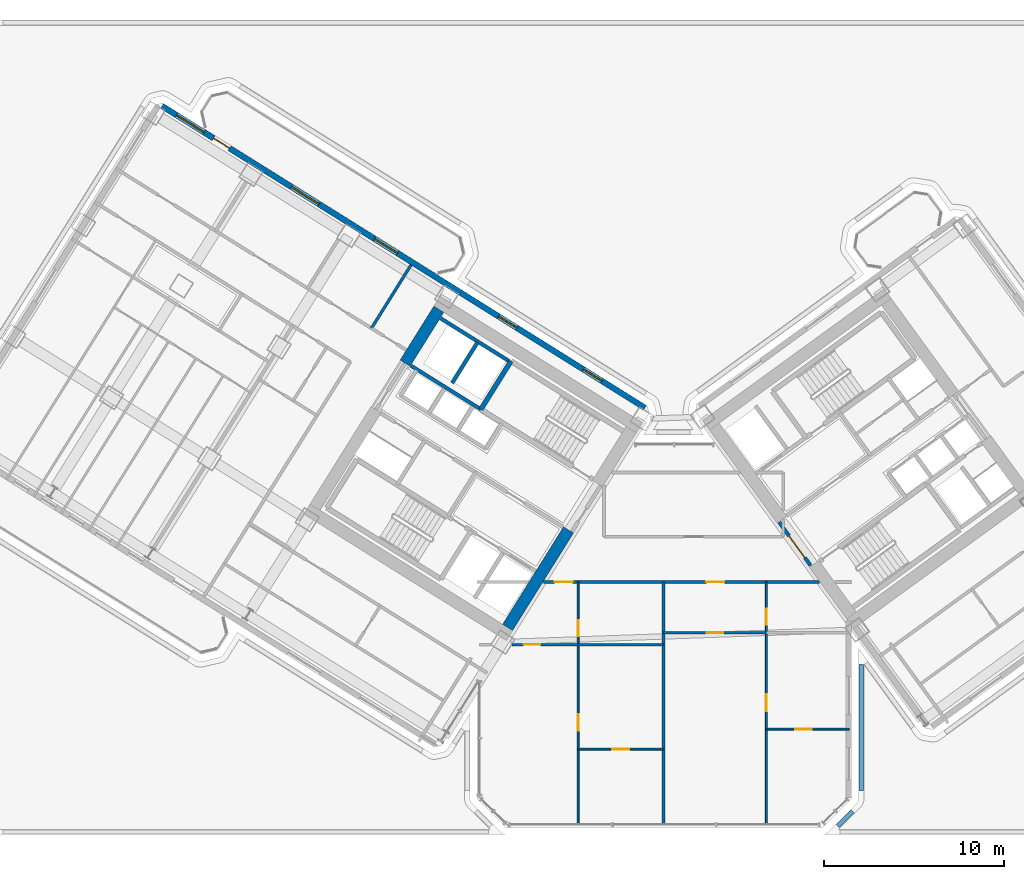
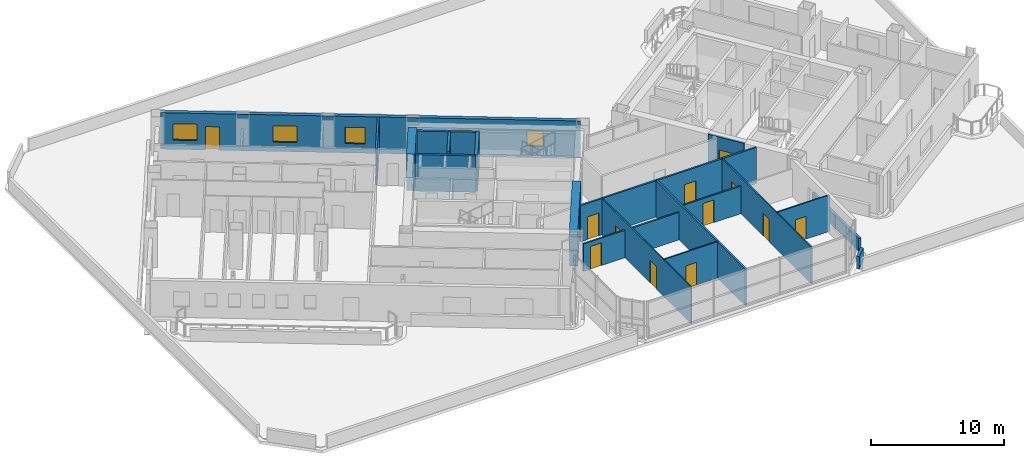
# One storey, part 17 of 28: 20 walls, 12 doors, 5 windows, 17 openings.
"""IFC4 building model written with IfcOpenShell, lengths in metres."""

from ifc_helpers import new_model, si_unit, direction, frame, frame_2d, origin, place, context, subcontext, project, spatial, rectangle, extrude, source, transform, mapped, material, layer, layer_set, type_object, element, fill, save


model = new_model("IFC4")

# Units and contexts
model_context = context("Model", 3, precision=1e-05, world=origin(), true_north=direction((0.0, 1.0)))
body_context = subcontext(model_context, "Body", "Model", "MODEL_VIEW")
ifc_project = project(units=[si_unit("LENGTHUNIT", "METRE"), si_unit("AREAUNIT", "SQUARE_METRE"), si_unit("VOLUMEUNIT", "CUBIC_METRE"), si_unit("PLANEANGLEUNIT", "RADIAN"), si_unit("MASSUNIT", "GRAM", prefix="KILO")], contexts=[model_context])

# Site, building, storey
site_placement = place(None, origin())
site = spatial("IfcSite", under=ifc_project, at=site_placement, CompositionType="ELEMENT")
building_placement = place(site_placement, origin())
building = spatial("IfcBuilding", under=site, at=building_placement, Name="Tlacorven Tower", CompositionType="ELEMENT")
storey_placement = place(building_placement, frame((0.0, 0.0, 24.0)))
storey = spatial("IfcBuildingStorey", under=building, at=storey_placement, Name="L05", CompositionType="ELEMENT", Elevation=24.0)

# Walls
ifc_material_1 = material(Name="Concrete C60/75", Category="concrete")
ifc_layer_1 = layer(ifc_material_1, 0.64990234375)
ifc_layer_set_1 = layer_set([ifc_layer_1], Name="Concrete C60/75")
wall_type_1 = type_object("IfcWallType", Name="WL-COR-650", PredefinedType="SHEAR", material=ifc_layer_set_1)
wall_1_placement = place(storey_placement, frame((36.683349609375, 18.30419921875, 0.0), z_axis=(0.0, 0.0, 1.0), x_axis=(-0.529899109053, -0.848060690178, 0.0)))
element("IfcWall", 1, at=wall_1_placement, inside=storey, type_object=wall_type_1, Name="L05 W core end wall E1.2", PredefinedType="SHEAR", context=body_context, shape_type="SweptSolid", body=[
    extrude(rectangle(XDim=6.375244140625, YDim=0.64990234375, at=frame_2d((3.1875, 0.0))), origin(), (0.0, 0.0, 1.0), 3.35009765625),
])
wall_2_placement = place(storey_placement, frame((29.49072265625, 30.5517578125, 0.0), z_axis=(0.0, 0.0, 1.0), x_axis=(-0.529893103397, -0.8480644427, 0.0)))
element("IfcWall", 2, at=wall_2_placement, inside=storey, type_object=wall_type_1, Name="L05 W core end wall E2.1", PredefinedType="SHEAR", context=body_context, shape_type="SweptSolid", body=[
    extrude(rectangle(XDim=3.525146484375, YDim=0.64990234375, at=frame_2d((1.7626953125, 0.0))), origin(), (0.0, 0.0, 1.0), 3.35009765625),
])
ifc_material_2 = material(Name="Gypsum plasterboard acoustic partition", Category="gypsum")
ifc_layer_2 = layer(ifc_material_2, 0.159912109375)
ifc_layer_set_2 = layer_set([ifc_layer_2], Name="Gypsum plasterboard acoustic partition")
wall_type_2 = type_object("IfcWallType", Name="WL-DEM-160", PredefinedType="PARTITIONING", material=ifc_layer_set_2)
wall_3_placement = place(storey_placement, frame((27.952880859375, 33.01611328125, 0.0), z_axis=(0.0, 0.0, 1.0), x_axis=(-0.529872022255, -0.848077614391, 0.0)))
element("IfcWall", 3, at=wall_3_placement, inside=storey, type_object=wall_type_2, Name="L05 partition 49", PredefinedType="PARTITIONING", context=body_context, shape_type="SweptSolid", body=[
    extrude(rectangle(XDim=4.14990234375, YDim=0.159912109375, at=frame_2d((2.074951171875, 0.0))), origin(), (0.0, 0.0, 1.0), 3.340087890625),
])

# Wall, openings, doors
wall_4_placement = place(storey_placement, frame((35.29638671875, 15.419921875, 0.0), z_axis=(0.0, 0.0, 1.0), x_axis=(1.0, 0.0, 0.0)))
wall_4 = element("IfcWall", 4, at=wall_4_placement, inside=storey, type_object=wall_type_2, Name="L05 Knuckle Corridor South Wall", PredefinedType="PARTITIONING", context=body_context, shape_type="SweptSolid", body=[
    extrude(rectangle(XDim=15.310546875, YDim=0.159912109375, at=frame_2d((7.6552734375, 0.0))), origin(), (0.0, 0.0, 1.0), 3.340087890625),
])
opening_1_placement = place(wall_4_placement, frame((0.61474609375, 0.0, 0.0)))
opening_1 = element("IfcOpeningElement", 5, at=opening_1_placement, cuts=wall_4, Name="Opening D11", PredefinedType="OPENING", context=body_context, shape_type="SweptSolid", body=[
    extrude(rectangle(XDim=1.0, YDim=2.10009765625, at=frame_2d((0.5, 1.050048828125))), frame((0.0, 0.08984375, 0.0), z_axis=(0.0, -1.0, 0.0), x_axis=(1.0, 0.0, 0.0)), (0.0, 0.0, 1.0), 0.179931640625),
])
opening_2_placement = place(wall_4_placement, frame((9.03515625, 0.0, 0.0)))
opening_2 = element("IfcOpeningElement", 6, at=opening_2_placement, cuts=wall_4, Name="Opening D11", PredefinedType="OPENING", context=body_context, shape_type="SweptSolid", body=[
    extrude(rectangle(XDim=1.0, YDim=2.10009765625, at=frame_2d((0.5, 1.050048828125))), frame((0.0, 0.08984375, 0.0), z_axis=(0.0, -1.0, 0.0), x_axis=(1.0, 0.0, 0.0)), (0.0, 0.0, 1.0), 0.179931640625),
])
ifc_material_3 = material(Name="Fire-rated steel door assembly", Category="steel")
door_type_1 = type_object("IfcDoorType", Name="DR-FLT-FD60-1000", OperationType="NOTDEFINED", PredefinedType="DOOR", material=ifc_material_3)
shared_shape_1 = source(origin(), body_context, "Body", "SweptSolid", [
    extrude(rectangle(XDim=1.0, YDim=2.10009765625, at=frame_2d((0.5, 1.050048828125))), frame((0.0, 0.02490234375, 0.0), z_axis=(0.0, -1.0, 0.0), x_axis=(1.0, 0.0, 0.0)), (0.0, 0.0, 1.0), 0.050048828125),
])
door_1_placement = place(opening_1_placement, frame((1.0, 0.0, 0.0), z_axis=(0.0, 0.0, 1.0), x_axis=(-1.0, 0.0, 0.0)))
door_1 = element("IfcDoor", 7, at=door_1_placement, inside=storey, type_object=door_type_1, Name="L05 door 046", OperationType="SINGLE_SWING_LEFT", OverallHeight=2.10009765625, OverallWidth=1.0, PredefinedType="DOOR", context=body_context, shape_type="MappedRepresentation", body=[
    mapped(shared_shape_1, transform((0.0, 0.0, 0.0), scale=1.0)),
])
fill(opening_1, door_1)
door_2_placement = place(opening_2_placement, frame((1.0, 0.0, 0.0), z_axis=(0.0, 0.0, 1.0), x_axis=(-1.0, 0.0, 0.0)))
door_2 = element("IfcDoor", 8, at=door_2_placement, inside=storey, type_object=door_type_1, Name="L05 door 051", OperationType="SINGLE_SWING_RIGHT", OverallHeight=2.10009765625, OverallWidth=1.0, PredefinedType="DOOR", context=body_context, shape_type="MappedRepresentation", body=[
    mapped(shared_shape_1, transform((0.0, 0.0, 0.0), scale=1.0)),
])
fill(opening_2, door_2)

# Wall
wall_5_placement = place(storey_placement, frame((41.949951171875, 1.9599609375, 0.0), z_axis=(0.0, 0.0, 1.0), x_axis=(0.0, 1.0, 0.0)))
element("IfcWall", 9, at=wall_5_placement, inside=storey, type_object=wall_type_2, Name="L05 Knuckle Demising Wall 1", PredefinedType="PARTITIONING", context=body_context, shape_type="SweptSolid", body=[
    extrude(rectangle(XDim=13.4599609375, YDim=0.159912109375, at=frame_2d((6.72998046875, 0.0))), origin(), (0.0, 0.0, 1.0), 3.340087890625),
])

# Wall, openings, door, windows
ifc_material_4 = material(Name="Precast concrete C45/55", Category="concrete")
ifc_layer_3 = layer(ifc_material_4, 0.320068359375)
ifc_layer_set_3 = layer_set([ifc_layer_3], Name="Precast concrete C45/55")
wall_type_3 = type_object("IfcWallType", Name="WL-EXT-320", PredefinedType="STANDARD", material=ifc_layer_set_3)
wall_6_placement = place(storey_placement, frame((14.13818359375, 41.825439453125, 0.0), z_axis=(0.0, 0.0, 1.0), x_axis=(0.848046498049, -0.529921821731, 0.0)))
wall_6 = element("IfcWall", 10, at=wall_6_placement, inside=storey, type_object=wall_type_3, Name="L05 Masonry-Frame Recessed Facade Wall 3", PredefinedType="STANDARD", context=body_context, shape_type="SweptSolid", body=[
    extrude(rectangle(XDim=31.587646484375, YDim=0.320068359375, at=frame_2d((15.7939453125, 0.0))), origin(), (0.0, 0.0, 1.0), 3.35009765625),
])
opening_3_placement = place(wall_6_placement, frame((3.368896484375, 0.0, 0.0)))
opening_3 = element("IfcOpeningElement", 11, at=opening_3_placement, cuts=wall_6, Name="Opening D06", PredefinedType="OPENING", context=body_context, shape_type="SweptSolid", body=[
    extrude(rectangle(XDim=1.050048828125, YDim=2.14990234375, at=frame_2d((0.52490234375, 1.074951171875))), frame((0.0, 0.169921875, 0.0), z_axis=(0.0, -1.0, 0.0), x_axis=(1.0, 0.0, 0.0)), (0.0, 0.0, 1.0), 0.340087890625),
])
opening_4_placement = place(wall_6_placement, frame((0.9462890625, 0.0, 0.85009765625)))
opening_4 = element("IfcOpeningElement", 12, at=opening_4_placement, cuts=wall_6, Name="Opening WN01", PredefinedType="OPENING", context=body_context, shape_type="SweptSolid", body=[
    extrude(rectangle(XDim=1.800048828125, YDim=1.5, at=frame_2d((0.89990234375, 0.75))), frame((0.0, 0.169921875, 0.0), z_axis=(0.0, -1.0, 0.0), x_axis=(1.0, 0.0, 0.0)), (0.0, 0.0, 1.0), 0.340087890625),
])
opening_5_placement = place(wall_6_placement, frame((8.460205078125, 0.0, 0.85009765625)))
opening_5 = element("IfcOpeningElement", 13, at=opening_5_placement, cuts=wall_6, Name="Opening WN01", PredefinedType="OPENING", context=body_context, shape_type="SweptSolid", body=[
    extrude(rectangle(XDim=1.800048828125, YDim=1.5, at=frame_2d((0.89990234375, 0.75))), frame((0.0, 0.169921875, 0.0), z_axis=(0.0, -1.0, 0.0), x_axis=(1.0, 0.0, 0.0)), (0.0, 0.0, 1.0), 0.340087890625),
])
opening_6_placement = place(wall_6_placement, frame((13.898681640625, 0.0, 0.85009765625)))
opening_6 = element("IfcOpeningElement", 14, at=opening_6_placement, cuts=wall_6, Name="Opening WN02", PredefinedType="OPENING", context=body_context, shape_type="SweptSolid", body=[
    extrude(rectangle(XDim=1.5, YDim=1.5, at=frame_2d((0.75, 0.75))), frame((0.0, 0.169921875, 0.0), z_axis=(0.0, -1.0, 0.0), x_axis=(1.0, 0.0, 0.0)), (0.0, 0.0, 1.0), 0.340087890625),
])
opening_7_placement = place(wall_6_placement, frame((22.018798828125, 0.0, 0.949951171875)))
opening_7 = element("IfcOpeningElement", 15, at=opening_7_placement, cuts=wall_6, Name="Opening WN03", PredefinedType="OPENING", context=body_context, shape_type="SweptSolid", body=[
    extrude(rectangle(XDim=1.199951171875, YDim=1.39990234375, at=frame_2d((0.60009765625, 0.699951171875))), frame((0.0, 0.169921875, 0.0), z_axis=(0.0, -1.0, 0.0), x_axis=(1.0, 0.0, 0.0)), (0.0, 0.0, 1.0), 0.340087890625),
])
opening_8_placement = place(wall_6_placement, frame((27.568603515625, 0.0, 0.949951171875)))
opening_8 = element("IfcOpeningElement", 16, at=opening_8_placement, cuts=wall_6, Name="Opening WN03", PredefinedType="OPENING", context=body_context, shape_type="SweptSolid", body=[
    extrude(rectangle(XDim=1.199951171875, YDim=1.39990234375, at=frame_2d((0.60009765625, 0.699951171875))), frame((0.0, 0.169921875, 0.0), z_axis=(0.0, -1.0, 0.0), x_axis=(1.0, 0.0, 0.0)), (0.0, 0.0, 1.0), 0.340087890625),
])
ifc_material_5 = material(Name="Powder-coated aluminium and timber door", Category="wood")
door_type_2 = type_object("IfcDoorType", Name="DR-EXT-BALC-1050", OperationType="NOTDEFINED", PredefinedType="DOOR", material=ifc_material_5)
shared_shape_2 = source(origin(), body_context, "Body", "SweptSolid", [
    extrude(rectangle(XDim=1.050048828125, YDim=2.14990234375, at=frame_2d((0.52490234375, 1.074951171875))), frame((0.0, 0.02490234375, 0.0), z_axis=(0.0, -1.0, 0.0), x_axis=(1.0, 0.0, 0.0)), (0.0, 0.0, 1.0), 0.050048828125),
])
door_3_placement = place(opening_3_placement, origin())
door_3 = element("IfcDoor", 17, at=door_3_placement, inside=storey, type_object=door_type_2, Name="L05 Outdoor Access Door BAL-L05-W-IN", OperationType="SINGLE_SWING_RIGHT", OverallHeight=2.14990234375, OverallWidth=1.050048828125, PredefinedType="DOOR", context=body_context, shape_type="MappedRepresentation", body=[
    mapped(shared_shape_2, transform((0.0, 0.0, 0.0), scale=1.0)),
])
fill(opening_3, door_3)
ifc_material_6 = material(Name="Dark solar low-E double glazing in anodised aluminium frame", Category="aluminium")
window_type_1 = type_object("IfcWindowType", Name="WN-APT-1200X1500", PartitioningType="SINGLE_PANEL", PredefinedType="WINDOW", material=ifc_material_6)
shared_shape_3 = source(origin(), body_context, "Body", "SweptSolid", [
    extrude(rectangle(XDim=1.199951171875, YDim=1.39990234375, at=frame_2d((0.60009765625, 0.699951171875))), frame((0.0, 0.030029296875, 0.0), z_axis=(0.0, -1.0, 0.0), x_axis=(1.0, 0.0, 0.0)), (0.0, 0.0, 1.0), 0.06005859375),
])
window_1_placement = place(opening_7_placement, origin())
window_1 = element("IfcWindow", 18, at=window_1_placement, inside=storey, type_object=window_type_1, Name="L05 Recessed Masonry-Frame Window L05-03.4", OverallHeight=1.39990234375, OverallWidth=1.199951171875, PartitioningType="SINGLE_PANEL", PredefinedType="WINDOW", context=body_context, shape_type="MappedRepresentation", body=[
    mapped(shared_shape_3, transform((0.0, 0.0, 0.0), scale=1.0)),
])
fill(opening_7, window_1)
window_2_placement = place(opening_8_placement, origin())
window_2 = element("IfcWindow", 19, at=window_2_placement, inside=storey, type_object=window_type_1, Name="L05 Recessed Masonry-Frame Window L05-03.5", OverallHeight=1.39990234375, OverallWidth=1.199951171875, PartitioningType="SINGLE_PANEL", PredefinedType="WINDOW", context=body_context, shape_type="MappedRepresentation", body=[
    mapped(shared_shape_3, transform((0.0, 0.0, 0.0), scale=1.0)),
])
fill(opening_8, window_2)
window_type_2 = type_object("IfcWindowType", Name="WN-APT-1800X1650", PartitioningType="SINGLE_PANEL", PredefinedType="WINDOW", material=ifc_material_6)
shared_shape_4 = source(origin(), body_context, "Body", "SweptSolid", [
    extrude(rectangle(XDim=1.800048828125, YDim=1.5, at=frame_2d((0.89990234375, 0.75))), frame((0.0, 0.030029296875, 0.0), z_axis=(0.0, -1.0, 0.0), x_axis=(1.0, 0.0, 0.0)), (0.0, 0.0, 1.0), 0.06005859375),
])
window_3_placement = place(opening_4_placement, origin())
window_3 = element("IfcWindow", 20, at=window_3_placement, inside=storey, type_object=window_type_2, Name="L05 Recessed Masonry-Frame Window L05-03.1", OverallHeight=1.5, OverallWidth=1.800048828125, PartitioningType="SINGLE_PANEL", PredefinedType="WINDOW", context=body_context, shape_type="MappedRepresentation", body=[
    mapped(shared_shape_4, transform((0.0, 0.0, 0.0), scale=1.0)),
])
fill(opening_4, window_3)
window_4_placement = place(opening_5_placement, origin())
window_4 = element("IfcWindow", 21, at=window_4_placement, inside=storey, type_object=window_type_2, Name="L05 Recessed Masonry-Frame Window L05-03.2", OverallHeight=1.5, OverallWidth=1.800048828125, PartitioningType="SINGLE_PANEL", PredefinedType="WINDOW", context=body_context, shape_type="MappedRepresentation", body=[
    mapped(shared_shape_4, transform((0.0, 0.0, 0.0), scale=1.0)),
])
fill(opening_5, window_4)
window_type_3 = type_object("IfcWindowType", Name="WN-APT-1500X1650", PartitioningType="SINGLE_PANEL", PredefinedType="WINDOW", material=ifc_material_6)
shared_shape_5 = source(origin(), body_context, "Body", "SweptSolid", [
    extrude(rectangle(XDim=1.5, YDim=1.5, at=frame_2d((0.75, 0.75))), frame((0.0, 0.030029296875, 0.0), z_axis=(0.0, -1.0, 0.0), x_axis=(1.0, 0.0, 0.0)), (0.0, 0.0, 1.0), 0.06005859375),
])
window_5_placement = place(opening_6_placement, origin())
window_5 = element("IfcWindow", 22, at=window_5_placement, inside=storey, type_object=window_type_3, Name="L05 Recessed Masonry-Frame Window L05-03.3", OverallHeight=1.5, OverallWidth=1.5, PartitioningType="SINGLE_PANEL", PredefinedType="WINDOW", context=body_context, shape_type="MappedRepresentation", body=[
    mapped(shared_shape_5, transform((0.0, 0.0, 0.0), scale=1.0)),
])
fill(opening_6, window_5)

# Wall, openings, doors
ifc_material_7 = material(Name="Gypsum plasterboard partition", Category="gypsum")
ifc_layer_4 = layer(ifc_material_7, 0.110107421875)
ifc_layer_set_4 = layer_set([ifc_layer_4], Name="Gypsum plasterboard partition")
wall_type_4 = type_object("IfcWallType", Name="WL-INT-110", PredefinedType="PARTITIONING", material=ifc_layer_set_4)
wall_7_placement = place(storey_placement, frame((37.221923828125, 1.9599609375, 0.0), z_axis=(0.0, 0.0, 1.0), x_axis=(0.0, 1.0, 0.0)))
wall_7 = element("IfcWall", 23, at=wall_7_placement, inside=storey, type_object=wall_type_4, Name="L05 partition 81", PredefinedType="PARTITIONING", context=body_context, shape_type="SweptSolid", body=[
    extrude(rectangle(XDim=13.4599609375, YDim=0.110107421875, at=frame_2d((6.72998046875, 0.0))), origin(), (0.0, 0.0, 1.0), 3.340087890625),
])
opening_9_placement = place(wall_7_placement, frame((5.199951171875, 0.0, 0.0)))
opening_9 = element("IfcOpeningElement", 24, at=opening_9_placement, cuts=wall_7, Name="Opening D12", PredefinedType="OPENING", context=body_context, shape_type="SweptSolid", body=[
    extrude(rectangle(XDim=0.919921875, YDim=2.080078125, at=frame_2d((0.4599609375, 1.0400390625))), frame((0.0, 0.06494140625, 0.0), z_axis=(0.0, -1.0, 0.0), x_axis=(1.0, 0.0, 0.0)), (0.0, 0.0, 1.0), 0.130126953125),
])
opening_10_placement = place(wall_7_placement, frame((10.449951171875, 0.0, 0.0)))
opening_10 = element("IfcOpeningElement", 25, at=opening_10_placement, cuts=wall_7, Name="Opening D13", PredefinedType="OPENING", context=body_context, shape_type="SweptSolid", body=[
    extrude(rectangle(XDim=0.8798828125, YDim=2.080078125, at=frame_2d((0.43994140625, 1.0400390625))), frame((0.0, 0.06494140625, 0.0), z_axis=(0.0, -1.0, 0.0), x_axis=(1.0, 0.0, 0.0)), (0.0, 0.0, 1.0), 0.130126953125),
])
door_type_3 = type_object("IfcDoorType", Name="DR-INT-WET-0880", OperationType="NOTDEFINED", PredefinedType="DOOR", material=ifc_material_5)
shared_shape_6 = source(origin(), body_context, "Body", "SweptSolid", [
    extrude(rectangle(XDim=0.8798828125, YDim=2.080078125, at=frame_2d((0.43994140625, 1.0400390625))), frame((0.0, 0.02490234375, 0.0), z_axis=(0.0, -1.0, 0.0), x_axis=(1.0, 0.0, 0.0)), (0.0, 0.0, 1.0), 0.050048828125),
])
door_4_placement = place(opening_10_placement, origin())
door_4 = element("IfcDoor", 26, at=door_4_placement, inside=storey, type_object=door_type_3, Name="L05 door 048", OperationType="SINGLE_SWING_LEFT", OverallHeight=2.080078125, OverallWidth=0.8798828125, PredefinedType="DOOR", context=body_context, shape_type="MappedRepresentation", body=[
    mapped(shared_shape_6, transform((0.0, 0.0, 0.0), scale=1.0)),
])
fill(opening_10, door_4)
door_type_4 = type_object("IfcDoorType", Name="DR-INT-ROOM-0920", OperationType="NOTDEFINED", PredefinedType="DOOR", material=ifc_material_5)
shared_shape_7 = source(origin(), body_context, "Body", "SweptSolid", [
    extrude(rectangle(XDim=0.919921875, YDim=2.080078125, at=frame_2d((0.4599609375, 1.0400390625))), frame((0.0, 0.02490234375, 0.0), z_axis=(0.0, -1.0, 0.0), x_axis=(1.0, 0.0, 0.0)), (0.0, 0.0, 1.0), 0.050048828125),
])
door_5_placement = place(opening_9_placement, origin())
door_5 = element("IfcDoor", 27, at=door_5_placement, inside=storey, type_object=door_type_4, Name="L05 door 044", OperationType="SINGLE_SWING_LEFT", OverallHeight=2.080078125, OverallWidth=0.919921875, PredefinedType="DOOR", context=body_context, shape_type="MappedRepresentation", body=[
    mapped(shared_shape_7, transform((0.0, 0.0, 0.0), scale=1.0)),
])
fill(opening_9, door_5)

# Wall, opening, door
wall_8_placement = place(storey_placement, frame((37.221923828125, 6.14990234375, 0.0), z_axis=(0.0, 0.0, 1.0), x_axis=(1.0, 0.0, 0.0)))
wall_8 = element("IfcWall", 28, at=wall_8_placement, inside=storey, type_object=wall_type_4, Name="L05 partition 84", PredefinedType="PARTITIONING", context=body_context, shape_type="SweptSolid", body=[
    extrude(rectangle(XDim=4.72802734375, YDim=0.110107421875, at=frame_2d((2.364013671875, 0.0))), origin(), (0.0, 0.0, 1.0), 3.340087890625),
])
opening_11_placement = place(wall_8_placement, frame((1.904052734375, 0.0, 0.0)))
opening_11 = element("IfcOpeningElement", 29, at=opening_11_placement, cuts=wall_8, Name="Opening D12", PredefinedType="OPENING", context=body_context, shape_type="SweptSolid", body=[
    extrude(rectangle(XDim=0.919921875, YDim=2.080078125, at=frame_2d((0.4599609375, 1.0400390625))), frame((0.0, 0.06494140625, 0.0), z_axis=(0.0, -1.0, 0.0), x_axis=(1.0, 0.0, 0.0)), (0.0, 0.0, 1.0), 0.130126953125),
])
door_6_placement = place(opening_11_placement, origin())
door_6 = element("IfcDoor", 30, at=door_6_placement, inside=storey, type_object=door_type_4, Name="L05 door 045", OperationType="SINGLE_SWING_RIGHT", OverallHeight=2.080078125, OverallWidth=0.919921875, PredefinedType="DOOR", context=body_context, shape_type="MappedRepresentation", body=[
    mapped(shared_shape_7, transform((0.0, 0.0, 0.0), scale=1.0)),
])
fill(opening_11, door_6)

# Wall, openings, doors
wall_9_placement = place(storey_placement, frame((47.6630859375, 1.9599609375, 0.0), z_axis=(0.0, 0.0, 1.0), x_axis=(0.0, 1.0, 0.0)))
wall_9 = element("IfcWall", 31, at=wall_9_placement, inside=storey, type_object=wall_type_4, Name="L05 partition 85", PredefinedType="PARTITIONING", context=body_context, shape_type="SweptSolid", body=[
    extrude(rectangle(XDim=13.4599609375, YDim=0.110107421875, at=frame_2d((6.72998046875, 0.0))), origin(), (0.0, 0.0, 1.0), 3.340087890625),
])
opening_12_placement = place(wall_9_placement, frame((6.300048828125, 0.0, 0.0)))
opening_12 = element("IfcOpeningElement", 32, at=opening_12_placement, cuts=wall_9, Name="Opening D12", PredefinedType="OPENING", context=body_context, shape_type="SweptSolid", body=[
    extrude(rectangle(XDim=0.919921875, YDim=2.080078125, at=frame_2d((0.4599609375, 1.0400390625))), frame((0.0, 0.06494140625, 0.0), z_axis=(0.0, -1.0, 0.0), x_axis=(1.0, 0.0, 0.0)), (0.0, 0.0, 1.0), 0.130126953125),
])
opening_13_placement = place(wall_9_placement, frame((11.10009765625, 0.0, 0.0)))
opening_13 = element("IfcOpeningElement", 33, at=opening_13_placement, cuts=wall_9, Name="Opening D13", PredefinedType="OPENING", context=body_context, shape_type="SweptSolid", body=[
    extrude(rectangle(XDim=0.8798828125, YDim=2.080078125, at=frame_2d((0.43994140625, 1.0400390625))), frame((0.0, 0.06494140625, 0.0), z_axis=(0.0, -1.0, 0.0), x_axis=(1.0, 0.0, 0.0)), (0.0, 0.0, 1.0), 0.130126953125),
])
door_7_placement = place(opening_13_placement, origin())
door_7 = element("IfcDoor", 34, at=door_7_placement, inside=storey, type_object=door_type_3, Name="L05 door 053", OperationType="SINGLE_SWING_RIGHT", OverallHeight=2.080078125, OverallWidth=0.8798828125, PredefinedType="DOOR", context=body_context, shape_type="MappedRepresentation", body=[
    mapped(shared_shape_6, transform((0.0, 0.0, 0.0), scale=1.0)),
])
fill(opening_13, door_7)
door_8_placement = place(opening_12_placement, origin())
door_8 = element("IfcDoor", 35, at=door_8_placement, inside=storey, type_object=door_type_4, Name="L05 door 049", OperationType="SINGLE_SWING_RIGHT", OverallHeight=2.080078125, OverallWidth=0.919921875, PredefinedType="DOOR", context=body_context, shape_type="MappedRepresentation", body=[
    mapped(shared_shape_7, transform((0.0, 0.0, 0.0), scale=1.0)),
])
fill(opening_12, door_8)

# Wall, opening, door
wall_10_placement = place(storey_placement, frame((47.6630859375, 7.25, 0.0), z_axis=(0.0, 0.0, 1.0), x_axis=(1.0, 0.0, 0.0)))
wall_10 = element("IfcWall", 36, at=wall_10_placement, inside=storey, type_object=wall_type_4, Name="L05 partition 88", PredefinedType="PARTITIONING", context=body_context, shape_type="SweptSolid", body=[
    extrude(rectangle(XDim=4.596923828125, YDim=0.110107421875, at=frame_2d((2.29833984375, 0.0))), origin(), (0.0, 0.0, 1.0), 3.340087890625),
])
opening_14_placement = place(wall_10_placement, frame((1.6083984375, 0.0, 0.0)))
opening_14 = element("IfcOpeningElement", 37, at=opening_14_placement, cuts=wall_10, Name="Opening D12", PredefinedType="OPENING", context=body_context, shape_type="SweptSolid", body=[
    extrude(rectangle(XDim=0.919921875, YDim=2.080078125, at=frame_2d((0.4599609375, 1.0400390625))), frame((0.0, 0.06494140625, 0.0), z_axis=(0.0, -1.0, 0.0), x_axis=(1.0, 0.0, 0.0)), (0.0, 0.0, 1.0), 0.130126953125),
])
door_9_placement = place(opening_14_placement, origin())
door_9 = element("IfcDoor", 38, at=door_9_placement, inside=storey, type_object=door_type_4, Name="L05 door 050", OperationType="SINGLE_SWING_LEFT", OverallHeight=2.080078125, OverallWidth=0.919921875, PredefinedType="DOOR", context=body_context, shape_type="MappedRepresentation", body=[
    mapped(shared_shape_7, transform((0.0, 0.0, 0.0), scale=1.0)),
])
fill(opening_14, door_9)

# Walls
ifc_layer_5 = layer(ifc_material_4, 0.239990234375)
ifc_layer_set_5 = layer_set([ifc_layer_5], Name="Precast concrete C45/55")
wall_type_5 = type_object("IfcWallType", Name="WL-PAR-240", PredefinedType="PARAPET", material=ifc_layer_set_5)
wall_11_placement = place(storey_placement, frame((51.624755859375, 1.875244140625, 0.0), z_axis=(0.0, 0.0, 1.0), x_axis=(0.707106781187, 0.707106781187, 0.0)))
element("IfcWall", 39, at=wall_11_placement, inside=storey, type_object=wall_type_5, Name="L05 Podium Setback Parapet 1 20", PredefinedType="PARAPET", context=body_context, shape_type="SweptSolid", body=[
    extrude(rectangle(XDim=1.170166015625, YDim=0.239990234375, at=frame_2d((0.5849609375, 0.0))), origin(), (0.0, 0.0, 1.0), 1.14990234375),
])
wall_12_placement = place(storey_placement, frame((52.929931640625, 3.856201171875, 0.0), z_axis=(0.0, 0.0, 1.0), x_axis=(0.0, 1.0, 0.0)))
element("IfcWall", 40, at=wall_12_placement, inside=storey, type_object=wall_type_5, Name="L05 Podium Setback Parapet 1 21", PredefinedType="PARAPET", context=body_context, shape_type="SweptSolid", body=[
    extrude(rectangle(XDim=6.97412109375, YDim=0.239990234375, at=frame_2d((3.487060546875, 0.0))), origin(), (0.0, 0.0, 1.0), 1.14990234375),
])

# Wall, opening, door
ifc_material_8 = material(Name="Moisture-resistant gypsum plumbing wall", Category="gypsum")
ifc_layer_6 = layer(ifc_material_8, 0.139892578125)
ifc_layer_set_6 = layer_set([ifc_layer_6], Name="Moisture-resistant gypsum plumbing wall")
wall_type_6 = type_object("IfcWallType", Name="WL-PLM-140", PredefinedType="PLUMBINGWALL", material=ifc_layer_set_6)
wall_13_placement = place(storey_placement, frame((33.564453125, 11.949951171875, 0.0), z_axis=(0.0, 0.0, 1.0), x_axis=(1.0, 0.0, 0.0)))
wall_13 = element("IfcWall", 41, at=wall_13_placement, inside=storey, type_object=wall_type_6, Name="L05 partition 82", PredefinedType="PLUMBINGWALL", context=body_context, shape_type="SweptSolid", body=[
    extrude(rectangle(XDim=3.657470703125, YDim=0.139892578125, at=frame_2d((1.82861328125, 0.0))), origin(), (0.0, 0.0, 1.0), 2.52490234375),
])
opening_15_placement = place(wall_13_placement, frame((0.63671875, 0.0, 0.0)))
opening_15 = element("IfcOpeningElement", 42, at=opening_15_placement, cuts=wall_13, Name="Opening D12", PredefinedType="OPENING", context=body_context, shape_type="SweptSolid", body=[
    extrude(rectangle(XDim=0.919921875, YDim=2.080078125, at=frame_2d((0.4599609375, 1.0400390625))), frame((0.0, 0.080078125, 0.0), z_axis=(0.0, -1.0, 0.0), x_axis=(1.0, 0.0, 0.0)), (0.0, 0.0, 1.0), 0.159912109375),
])
door_10_placement = place(opening_15_placement, frame((0.919921875, 0.0, 0.0), z_axis=(0.0, 0.0, 1.0), x_axis=(-1.0, 0.0, 0.0)))
door_10 = element("IfcDoor", 43, at=door_10_placement, inside=storey, type_object=door_type_4, Name="L05 door 047", OperationType="SINGLE_SWING_RIGHT", OverallHeight=2.080078125, OverallWidth=0.919921875, PredefinedType="DOOR", context=body_context, shape_type="MappedRepresentation", body=[
    mapped(shared_shape_7, transform((0.0, 0.0, 0.0), scale=1.0)),
])
fill(opening_15, door_10)

# Wall
wall_14_placement = place(storey_placement, frame((37.221923828125, 11.949951171875, 0.0), z_axis=(0.0, 0.0, 1.0), x_axis=(1.0, 0.0, 0.0)))
element("IfcWall", 44, at=wall_14_placement, inside=storey, type_object=wall_type_6, Name="L05 partition 83", PredefinedType="PLUMBINGWALL", context=body_context, shape_type="SweptSolid", body=[
    extrude(rectangle(XDim=4.72802734375, YDim=0.139892578125, at=frame_2d((2.364013671875, 0.0))), origin(), (0.0, 0.0, 1.0), 2.52490234375),
])

# Wall, opening, door
wall_15_placement = place(storey_placement, frame((41.949951171875, 12.60009765625, 0.0), z_axis=(0.0, 0.0, 1.0), x_axis=(1.0, 0.0, 0.0)))
wall_15 = element("IfcWall", 45, at=wall_15_placement, inside=storey, type_object=wall_type_6, Name="L05 partition 86", PredefinedType="PLUMBINGWALL", context=body_context, shape_type="SweptSolid", body=[
    extrude(rectangle(XDim=5.713134765625, YDim=0.139892578125, at=frame_2d((2.8564453125, 0.0))), origin(), (0.0, 0.0, 1.0), 2.52490234375),
])
opening_16_placement = place(wall_15_placement, frame((2.396484375, 0.0, 0.0)))
opening_16 = element("IfcOpeningElement", 46, at=opening_16_placement, cuts=wall_15, Name="Opening D12", PredefinedType="OPENING", context=body_context, shape_type="SweptSolid", body=[
    extrude(rectangle(XDim=0.919921875, YDim=2.080078125, at=frame_2d((0.4599609375, 1.0400390625))), frame((0.0, 0.080078125, 0.0), z_axis=(0.0, -1.0, 0.0), x_axis=(1.0, 0.0, 0.0)), (0.0, 0.0, 1.0), 0.159912109375),
])
door_11_placement = place(opening_16_placement, frame((0.919921875, 0.0, 0.0), z_axis=(0.0, 0.0, 1.0), x_axis=(-1.0, 0.0, 0.0)))
door_11 = element("IfcDoor", 47, at=door_11_placement, inside=storey, type_object=door_type_4, Name="L05 door 052", OperationType="SINGLE_SWING_LEFT", OverallHeight=2.080078125, OverallWidth=0.919921875, PredefinedType="DOOR", context=body_context, shape_type="MappedRepresentation", body=[
    mapped(shared_shape_7, transform((0.0, 0.0, 0.0), scale=1.0)),
])
fill(opening_16, door_11)

# Walls
ifc_material_9 = material(Name="Concrete C40/50", Category="concrete")
ifc_layer_7 = layer(ifc_material_9, 0.199951171875)
ifc_layer_set_7 = layer_set([ifc_layer_7], Name="Concrete C40/50")
wall_type_7 = type_object("IfcWallType", Name="WL-SHF-200", PredefinedType="STANDARD", material=ifc_layer_set_7)
wall_16_placement = place(storey_placement, frame((31.82177734375, 24.99755859375, 0.0), z_axis=(0.0, 0.0, 1.0), x_axis=(-0.848058348634, 0.529902856485, 0.0)))
element("IfcWall", 48, at=wall_16_placement, inside=storey, type_object=wall_type_7, Name="L05 Core W South Lift Shaft Wall", PredefinedType="STANDARD", context=body_context, shape_type="SweptSolid", body=[
    extrude(rectangle(XDim=4.568115234375, YDim=0.199951171875, at=frame_2d((2.2841796875, 0.0))), origin(), (0.0, 0.0, 1.0), 3.340087890625),
])
wall_17_placement = place(storey_placement, frame((31.645263671875, 28.716064453125, 0.0), z_axis=(0.0, 0.0, 1.0), x_axis=(-0.52986693015, -0.848080795876, 0.0)))
element("IfcWall", 49, at=wall_17_placement, inside=storey, type_object=wall_type_7, Name="L05 partition 15", PredefinedType="STANDARD", context=body_context, shape_type="SweptSolid", body=[
    extrude(rectangle(XDim=2.659912109375, YDim=0.199951171875, at=frame_2d((1.330078125, 0.0))), origin(), (0.0, 0.0, 1.0), 3.340087890625),
])
wall_18_placement = place(storey_placement, frame((33.362548828125, 27.690185546875, 0.0), z_axis=(0.0, 0.0, 1.0), x_axis=(-0.848053806312, 0.529910125964, 0.0)))
element("IfcWall", 50, at=wall_18_placement, inside=storey, type_object=wall_type_7, Name="L05 partition 17", PredefinedType="STANDARD", context=body_context, shape_type="SweptSolid", body=[
    extrude(rectangle(XDim=4.44775390625, YDim=0.199951171875, at=frame_2d((2.223876953125, 0.0))), origin(), (0.0, 0.0, 1.0), 3.340087890625),
])

# Wall, opening, door
wall_19_placement = place(storey_placement, frame((50.119140625, 16.3330078125, 0.0), z_axis=(0.0, 0.0, 1.0), x_axis=(-0.587749856981, 0.809042709391, 0.0)))
wall_19 = element("IfcWall", 51, at=wall_19_placement, inside=storey, type_object=wall_type_7, Name="L05 partition 79", PredefinedType="STANDARD", context=body_context, shape_type="SweptSolid", body=[
    extrude(rectangle(XDim=2.9599609375, YDim=0.199951171875, at=frame_2d((1.47998046875, 0.0))), origin(), (0.0, 0.0, 1.0), 3.340087890625),
])
opening_17_placement = place(wall_19_placement, frame((0.530029296875, 0.0, 0.0)))
opening_17 = element("IfcOpeningElement", 52, at=opening_17_placement, cuts=wall_19, Name="Opening D10", PredefinedType="OPENING", context=body_context, shape_type="SweptSolid", body=[
    extrude(rectangle(XDim=1.5, YDim=2.14990234375, at=frame_2d((0.75, 1.074951171875))), frame((0.0, 0.10986328125, 0.0), z_axis=(0.0, -1.0, 0.0), x_axis=(1.0, 0.0, 0.0)), (0.0, 0.0, 1.0), 0.219970703125),
])
door_type_5 = type_object("IfcDoorType", Name="DR-LOB-FD60-1500", OperationType="DOUBLE_DOOR_SINGLE_SWING", PredefinedType="DOOR", material=ifc_material_3)
shared_shape_8 = source(origin(), body_context, "Body", "SweptSolid", [
    extrude(rectangle(XDim=1.5, YDim=2.14990234375, at=frame_2d((0.75, 1.074951171875))), frame((0.0, 0.02490234375, 0.0), z_axis=(0.0, -1.0, 0.0), x_axis=(1.0, 0.0, 0.0)), (0.0, 0.0, 1.0), 0.050048828125),
])
door_12_placement = place(opening_17_placement, frame((1.5, 0.0, 0.0), z_axis=(0.0, 0.0, 1.0), x_axis=(-1.0, 0.0, 0.0)))
door_12 = element("IfcDoor", 53, at=door_12_placement, inside=storey, type_object=door_type_5, Name="L05 door 043", OperationType="DOUBLE_DOOR_SINGLE_SWING", OverallHeight=2.14990234375, OverallWidth=1.5, PredefinedType="DOOR", context=body_context, shape_type="MappedRepresentation", body=[
    mapped(shared_shape_8, transform((0.0, 0.0, 0.0), scale=1.0)),
])
fill(opening_17, door_12)

# Wall
ifc_material_10 = material(Name="Concrete C50/60", Category="concrete")
ifc_layer_8 = layer(ifc_material_10, 0.260009765625)
ifc_layer_set_8 = layer_set([ifc_layer_8], Name="Concrete C50/60")
wall_type_8 = type_object("IfcWallType", Name="WL-STW-260", PredefinedType="SHEAR", material=ifc_layer_set_8)
wall_20_placement = place(storey_placement, frame((33.496337890625, 27.677490234375, 0.0), z_axis=(0.0, 0.0, 1.0), x_axis=(-0.529908658664, -0.84805472316, 0.0)))
element("IfcWall", 54, at=wall_20_placement, inside=storey, type_object=wall_type_8, Name="L05 Stair W2 East Shear Wall", PredefinedType="SHEAR", context=body_context, shape_type="SweptSolid", body=[
    extrude(rectangle(XDim=3.16015625, YDim=0.260009765625, at=frame_2d((1.580078125, 0.0))), origin(), (0.0, 0.0, 1.0), 3.35009765625),
])

save(model, "model.ifc")
